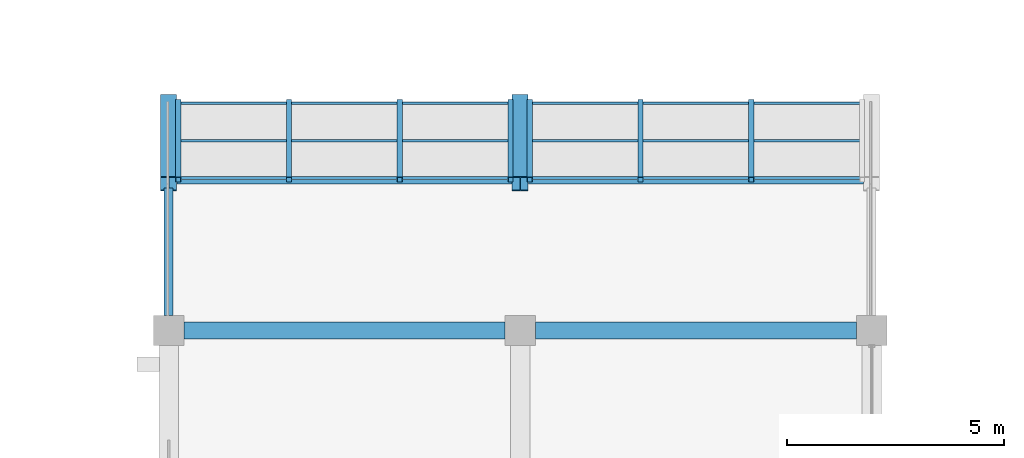
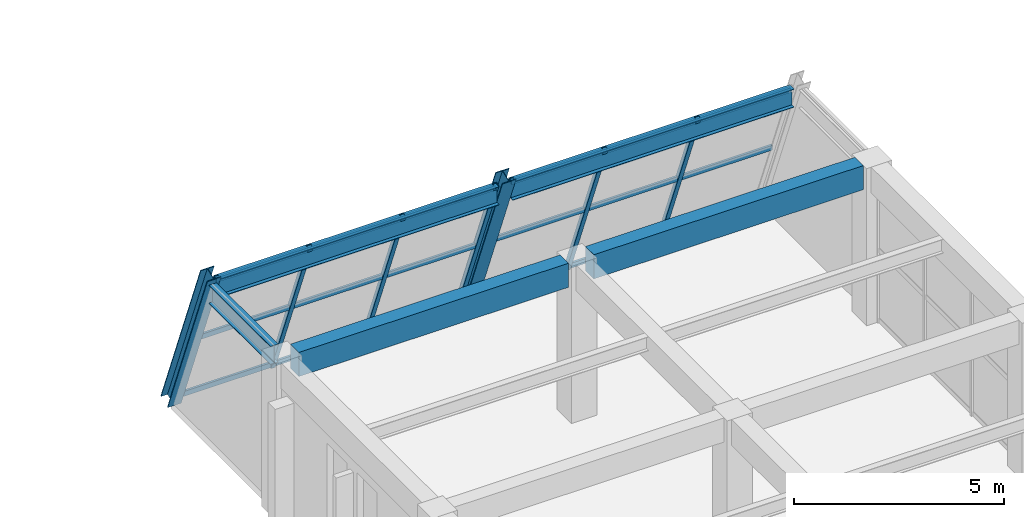
# One storey, part 82 of 161: 15 members, 5 beams, 2 elements without a shape of their own.
"""IFC4 building model written with IfcOpenShell, lengths in metres."""

from ifc_helpers import new_model, si_unit, direction, frame, origin, origin_2d, place, context, subcontext, project, spatial, rectangle, hollow_rectangle, i_section, extrude, material, material_profile, profile_set, type_object, element, aggregate, save


model = new_model("IFC4")

# Units and contexts
model_context = context("Model", 3, precision=1e-05, world=origin(), true_north=direction((0.0, 1.0)))
body_context = subcontext(model_context, "Body", "Model", "MODEL_VIEW")
ifc_project = project(units=[si_unit("LENGTHUNIT", "METRE"), si_unit("AREAUNIT", "SQUARE_METRE"), si_unit("VOLUMEUNIT", "CUBIC_METRE"), si_unit("PLANEANGLEUNIT", "RADIAN"), si_unit("MASSUNIT", "GRAM", prefix="KILO")], contexts=[model_context])

# Site, building, storey
site_placement = place(None, origin())
site = spatial("IfcSite", under=ifc_project, at=site_placement, CompositionType="ELEMENT")
building_placement = place(site_placement, origin())
building = spatial("IfcBuilding", under=site, at=building_placement, Name="Cimatlan Art Gallery", CompositionType="ELEMENT")
storey_placement = place(building_placement, frame((0.0, 0.0, 5.39990234375)))
storey = spatial("IfcBuildingStorey", under=building, at=storey_placement, Name="L01", CompositionType="ELEMENT", Elevation=5.39990234375)

# Beams
ifc_material_1 = material(Name="Concrete C40/50", Category="concrete")
ifc_material_profile_1 = material_profile(ifc_material_1, rectangle(XDim=0.39990234375, YDim=0.699951171875, at=origin_2d()), Name="RC400X700")
ifc_profile_set_1 = profile_set([ifc_material_profile_1], Name="Concrete C40/50")
beam_type_1 = type_object("IfcBeamType", Name="BM-RC-400X700", PredefinedType="BEAM", material=ifc_profile_set_1)
for number, where, z_axis, x_axis, name in (
    (1, (34.75, 97.89990234375, 4.210205078125), (1.0, 0.0, 0.0), (0.0, 1.0, 0.0), "BM-X-L01-04-13"),
    (2, (42.85009765625, 97.89990234375, 4.210205078125), (1.0, 0.0, 0.0), (0.0, 1.0, 0.0), "BM-X-L01-05-13"),
):
    element("IfcBeam", number, at=place(storey_placement, frame(where, z_axis=z_axis, x_axis=x_axis)), inside=storey, type_object=beam_type_1, Name=name, PredefinedType="BEAM", context=body_context, shape_type="SweptSolid", body=[
        extrude(rectangle(XDim=0.39990234375, YDim=0.699951171875, at=origin_2d()), origin(), (0.0, 0.0, 1.0), 7.39990234375),
    ])
ifc_material_2 = material(Name="Steel ASTM A992 Grade 50", Category="steel")
ifc_material_profile_2 = material_profile(ifc_material_2, i_section(OverallWidth=0.2099609375, OverallDepth=0.532958984375, WebThickness=0.01025390625, FlangeThickness=0.015625, at=origin_2d()), Name="W21X62")
ifc_profile_set_2 = profile_set([ifc_material_profile_2], Name="Steel ASTM A992 Grade 50")
beam_type_2 = type_object("IfcBeamType", Name="BM-STL-W21X62", PredefinedType="BEAM", material=ifc_profile_set_2)
for number, where, z_axis, x_axis, name in (
    (3, (34.590087890625, 101.376708984375, 4.293701171875), (1.0, 0.0, 0.0), (0.0, 1.0, 0.0), "BM-PRW-X-L01-B2-4"),
    (4, (42.68994140625, 101.376708984375, 4.293701171875), (1.0, 0.0, 0.0), (0.0, 1.0, 0.0), "BM-PRW-X-L01-B2-5"),
):
    element("IfcBeam", number, at=place(storey_placement, frame(where, z_axis=z_axis, x_axis=x_axis)), inside=storey, type_object=beam_type_2, Name=name, PredefinedType="BEAM", context=body_context, shape_type="SweptSolid", body=[
        extrude(i_section(OverallWidth=0.2099609375, OverallDepth=0.532958984375, WebThickness=0.01025390625, FlangeThickness=0.015625, at=origin_2d()), origin(), (0.0, 0.0, 1.0), 7.719970703125),
    ])
beam_placement = place(storey_placement, frame((34.39990234375, 98.25, 4.293701171875), z_axis=(0.0, 1.0, 0.0), x_axis=(-1.0, 0.0, 0.0)))
element("IfcBeam", 5, at=beam_placement, inside=storey, type_object=beam_type_2, Name="BM-PRW-Y-L01-B2-4", PredefinedType="BEAM", context=body_context, shape_type="SweptSolid", body=[
    extrude(i_section(OverallWidth=0.2099609375, OverallDepth=0.532958984375, WebThickness=0.01025390625, FlangeThickness=0.015625, at=origin_2d()), origin(), (0.0, 0.0, 1.0), 2.936767578125),
])

# Curtain wall, members
ifc_material_3 = material(Name="Raked steel-and-bronze lancet curtain wall", Category="steel")
curtain_wall_type = type_object("IfcCurtainWallType", Name="CW-RAK-07660X04901-B3", PredefinedType="NOTDEFINED", material=ifc_material_3)
curtain_wall_1_placement = place(storey_placement, origin())
curtain_wall_1 = element("IfcCurtainWall", 6, at=curtain_wall_1_placement, inside=storey, type_object=curtain_wall_type, Name="CW-PROW-L01-B2-4", PredefinedType="NOTDEFINED")
ifc_material_4 = material(Name="Steel ASTM A500 Grade C", Category="steel")
ifc_material_profile_3 = material_profile(ifc_material_4, hollow_rectangle(XDim=0.1201171875, YDim=0.1201171875, WallThickness=0.00634765625, at=origin_2d()), Name="HSS120X120X6")
ifc_profile_set_3 = profile_set([ifc_material_profile_3], Name="Steel ASTM A500 Grade C")
member_type_1 = type_object("IfcMemberType", Name="CW-MUL-RAK", PredefinedType="MULLION", material=ifc_profile_set_3)
member_1_placement = place(storey_placement, frame((34.6201171875, 103.1728515625, 0.0), z_axis=(0.0, -0.366481396036, 0.930425379254), x_axis=(1.0, 0.0, 0.0)))
member_1 = element("IfcMember", 7, at=member_1_placement, type_object=member_type_1, Name="CW-PROW-L01-B2-4-M1", PredefinedType="MULLION", context=body_context, shape_type="SweptSolid", body=[
    extrude(hollow_rectangle(XDim=0.1201171875, YDim=0.1201171875, WallThickness=0.00634765625, at=origin_2d()), origin(), (0.0, 0.0, 1.0), 4.901123046875),
])
member_2_placement = place(storey_placement, frame((37.17333984375, 103.1728515625, 0.0), z_axis=(0.0, -0.366481396036, 0.930425379254), x_axis=(1.0, 0.0, 0.0)))
member_2 = element("IfcMember", 8, at=member_2_placement, type_object=member_type_1, Name="CW-PROW-L01-B2-4-M2", PredefinedType="MULLION", context=body_context, shape_type="SweptSolid", body=[
    extrude(hollow_rectangle(XDim=0.1201171875, YDim=0.1201171875, WallThickness=0.00634765625, at=origin_2d()), origin(), (0.0, 0.0, 1.0), 4.901123046875),
])
member_3_placement = place(storey_placement, frame((39.726806640625, 103.1728515625, 0.0), z_axis=(0.0, -0.366481396036, 0.930425379254), x_axis=(1.0, 0.0, 0.0)))
member_3 = element("IfcMember", 9, at=member_3_placement, type_object=member_type_1, Name="CW-PROW-L01-B2-4-M3", PredefinedType="MULLION", context=body_context, shape_type="SweptSolid", body=[
    extrude(hollow_rectangle(XDim=0.1201171875, YDim=0.1201171875, WallThickness=0.00634765625, at=origin_2d()), origin(), (0.0, 0.0, 1.0), 4.901123046875),
])
member_4_placement = place(storey_placement, frame((42.280029296875, 103.1728515625, 0.0), z_axis=(0.0, -0.366481396036, 0.930425379254), x_axis=(1.0, 0.0, 0.0)))
member_4 = element("IfcMember", 10, at=member_4_placement, type_object=member_type_1, Name="CW-PROW-L01-B2-4-M4", PredefinedType="MULLION", context=body_context, shape_type="SweptSolid", body=[
    extrude(hollow_rectangle(XDim=0.1201171875, YDim=0.1201171875, WallThickness=0.00634765625, at=origin_2d()), origin(), (0.0, 0.0, 1.0), 4.901123046875),
])

curtain_wall_2_placement = place(storey_placement, origin())
curtain_wall_2 = element("IfcCurtainWall", 11, at=curtain_wall_2_placement, inside=storey, type_object=curtain_wall_type, Name="CW-PROW-L01-B2-5", PredefinedType="NOTDEFINED")
member_5_placement = place(storey_placement, frame((42.719970703125, 103.1728515625, 0.0), z_axis=(0.0, -0.366481396036, 0.930425379254), x_axis=(1.0, 0.0, 0.0)))
member_5 = element("IfcMember", 12, at=member_5_placement, type_object=member_type_1, Name="CW-PROW-L01-B2-5-M1", PredefinedType="MULLION", context=body_context, shape_type="SweptSolid", body=[
    extrude(hollow_rectangle(XDim=0.1201171875, YDim=0.1201171875, WallThickness=0.00634765625, at=origin_2d()), origin(), (0.0, 0.0, 1.0), 4.901123046875),
])
member_6_placement = place(storey_placement, frame((45.273193359375, 103.1728515625, 0.0), z_axis=(0.0, -0.366481396036, 0.930425379254), x_axis=(1.0, 0.0, 0.0)))
member_6 = element("IfcMember", 13, at=member_6_placement, type_object=member_type_1, Name="CW-PROW-L01-B2-5-M2", PredefinedType="MULLION", context=body_context, shape_type="SweptSolid", body=[
    extrude(hollow_rectangle(XDim=0.1201171875, YDim=0.1201171875, WallThickness=0.00634765625, at=origin_2d()), origin(), (0.0, 0.0, 1.0), 4.901123046875),
])
member_7_placement = place(storey_placement, frame((47.82666015625, 103.1728515625, 0.0), z_axis=(0.0, -0.366481396036, 0.930425379254), x_axis=(1.0, 0.0, 0.0)))
member_7 = element("IfcMember", 14, at=member_7_placement, type_object=member_type_1, Name="CW-PROW-L01-B2-5-M3", PredefinedType="MULLION", context=body_context, shape_type="SweptSolid", body=[
    extrude(hollow_rectangle(XDim=0.1201171875, YDim=0.1201171875, WallThickness=0.00634765625, at=origin_2d()), origin(), (0.0, 0.0, 1.0), 4.901123046875),
])

# Member
ifc_material_5 = material(Name="Anodised bronze aluminium 6063-T6", Category="aluminium")
ifc_material_profile_4 = material_profile(ifc_material_5, hollow_rectangle(XDim=0.06494140625, YDim=0.139892578125, WallThickness=0.00390625, at=origin_2d()), Name="ALU65X140X4")
ifc_profile_set_4 = profile_set([ifc_material_profile_4], Name="Anodised bronze aluminium 6063-T6")
member_type_2 = type_object("IfcMemberType", Name="CW-TRN-140", PredefinedType="USERDEFINED", material=ifc_profile_set_4)
member_8_placement = place(storey_placement, frame((34.6201171875, 103.136962890625, 0.09130859375), z_axis=(1.0, 0.0, 0.0), x_axis=(0.0, 1.0, 0.0)))
member_8 = element("IfcMember", 15, at=member_8_placement, type_object=member_type_2, Name="CW-PROW-L01-B2-4-T1", ObjectType="TRANSOM", PredefinedType="USERDEFINED", context=body_context, shape_type="SweptSolid", body=[
    extrude(hollow_rectangle(XDim=0.06494140625, YDim=0.139892578125, WallThickness=0.00390625, at=origin_2d()), origin(), (0.0, 0.0, 1.0), 7.659912109375),
])

member_9_placement = place(storey_placement, frame((34.6201171875, 102.27490234375, 2.280029296875), z_axis=(1.0, 0.0, 0.0), x_axis=(0.0, 1.0, 0.0)))
member_9 = element("IfcMember", 16, at=member_9_placement, type_object=member_type_2, Name="CW-PROW-L01-B2-4-T2", ObjectType="TRANSOM", PredefinedType="USERDEFINED", context=body_context, shape_type="SweptSolid", body=[
    extrude(hollow_rectangle(XDim=0.06494140625, YDim=0.139892578125, WallThickness=0.00390625, at=origin_2d()), origin(), (0.0, 0.0, 1.0), 7.659912109375),
])

member_10_placement = place(storey_placement, frame((34.6201171875, 101.41259765625, 4.468994140625), z_axis=(1.0, 0.0, 0.0), x_axis=(0.0, 1.0, 0.0)))
member_10 = element("IfcMember", 17, at=member_10_placement, type_object=member_type_2, Name="CW-PROW-L01-B2-4-T3", ObjectType="TRANSOM", PredefinedType="USERDEFINED", context=body_context, shape_type="SweptSolid", body=[
    extrude(hollow_rectangle(XDim=0.06494140625, YDim=0.139892578125, WallThickness=0.00390625, at=origin_2d()), origin(), (0.0, 0.0, 1.0), 7.659912109375),
])

aggregate(curtain_wall_1, [member_1, member_2, member_3, member_4, member_8, member_9, member_10])

member_11_placement = place(storey_placement, frame((42.719970703125, 103.136962890625, 0.09130859375), z_axis=(1.0, 0.0, 0.0), x_axis=(0.0, 1.0, 0.0)))
member_11 = element("IfcMember", 18, at=member_11_placement, type_object=member_type_2, Name="CW-PROW-L01-B2-5-T1", ObjectType="TRANSOM", PredefinedType="USERDEFINED", context=body_context, shape_type="SweptSolid", body=[
    extrude(hollow_rectangle(XDim=0.06494140625, YDim=0.139892578125, WallThickness=0.00390625, at=origin_2d()), origin(), (0.0, 0.0, 1.0), 7.659912109375),
])

member_12_placement = place(storey_placement, frame((42.719970703125, 102.27490234375, 2.280029296875), z_axis=(1.0, 0.0, 0.0), x_axis=(0.0, 1.0, 0.0)))
member_12 = element("IfcMember", 19, at=member_12_placement, type_object=member_type_2, Name="CW-PROW-L01-B2-5-T2", ObjectType="TRANSOM", PredefinedType="USERDEFINED", context=body_context, shape_type="SweptSolid", body=[
    extrude(hollow_rectangle(XDim=0.06494140625, YDim=0.139892578125, WallThickness=0.00390625, at=origin_2d()), origin(), (0.0, 0.0, 1.0), 7.659912109375),
])

member_13_placement = place(storey_placement, frame((42.719970703125, 101.41259765625, 4.468994140625), z_axis=(1.0, 0.0, 0.0), x_axis=(0.0, 1.0, 0.0)))
member_13 = element("IfcMember", 20, at=member_13_placement, type_object=member_type_2, Name="CW-PROW-L01-B2-5-T3", ObjectType="TRANSOM", PredefinedType="USERDEFINED", context=body_context, shape_type="SweptSolid", body=[
    extrude(hollow_rectangle(XDim=0.06494140625, YDim=0.139892578125, WallThickness=0.00390625, at=origin_2d()), origin(), (0.0, 0.0, 1.0), 7.659912109375),
])

aggregate(curtain_wall_2, [member_5, member_6, member_7, member_11, member_12, member_13])

# Members
ifc_material_profile_5 = material_profile(ifc_material_2, i_section(OverallWidth=0.37109375, OverallDepth=0.364013671875, WebThickness=0.01318359375, FlangeThickness=0.021728515625, at=origin_2d()), Name="W14X109")
ifc_profile_set_5 = profile_set([ifc_material_profile_5], Name="Steel ASTM A992 Grade 50")
member_type_3 = type_object("IfcMemberType", Name="MBR-RAK-W14X109", PredefinedType="RAFTER", material=ifc_profile_set_5)
for number, where, z_axis, x_axis, name in (
    (21, (34.39990234375, 103.1728515625, 0.0), (0.0, -0.366514587358, 0.930412304978), (1.0, 0.0, 0.0), "MBR-RAK-L01-B2-04"),
    (22, (42.5, 103.1728515625, 0.0), (0.0, -0.366514587358, 0.930412304978), (1.0, 0.0, 0.0), "MBR-RAK-L01-B2-05"),
):
    element("IfcMember", number, at=place(storey_placement, frame(where, z_axis=z_axis, x_axis=x_axis)), inside=storey, type_object=member_type_3, Name=name, PredefinedType="RAFTER", context=body_context, shape_type="SweptSolid", body=[
        extrude(i_section(OverallWidth=0.37109375, OverallDepth=0.364013671875, WebThickness=0.01318359375, FlangeThickness=0.021728515625, at=origin_2d()), origin(), (0.0, 0.0, 1.0), 5.158935546875),
    ])

save(model, "model.ifc")
